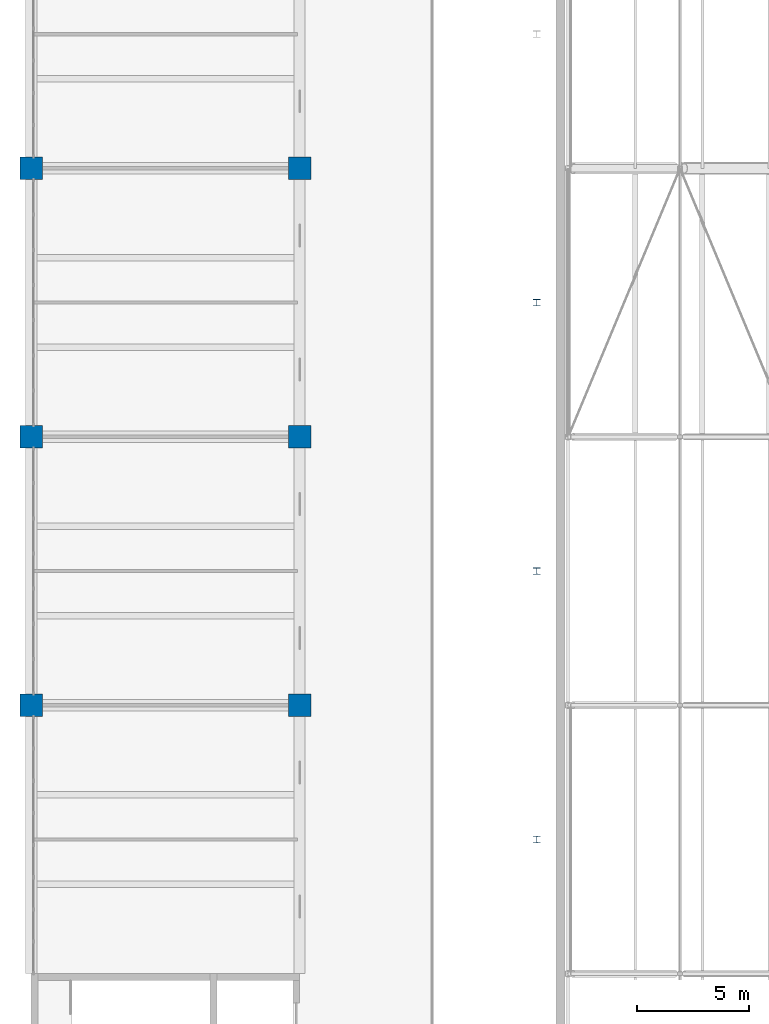
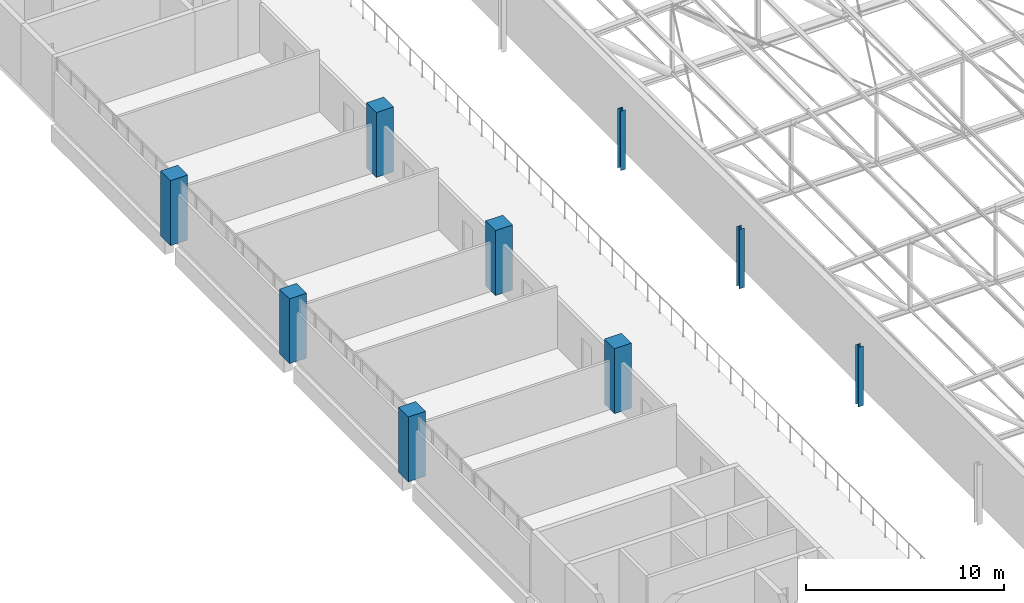
# One storey, part 3 of 156: 9 columns.
"""IFC4 building model written with IfcOpenShell, lengths in metres."""

from ifc_helpers import new_model, si_unit, direction, frame, origin, origin_2d, place, context, subcontext, project, spatial, rectangle, i_section, extrude, material, material_profile, profile_set, type_object, element, save


model = new_model("IFC4")

# Units and contexts
model_context = context("Model", 3, precision=1e-05, world=origin(), true_north=direction((0.0, 1.0)))
body_context = subcontext(model_context, "Body", "Model", "MODEL_VIEW")
ifc_project = project(units=[si_unit("LENGTHUNIT", "METRE"), si_unit("AREAUNIT", "SQUARE_METRE"), si_unit("VOLUMEUNIT", "CUBIC_METRE"), si_unit("PLANEANGLEUNIT", "RADIAN"), si_unit("MASSUNIT", "GRAM", prefix="KILO")], contexts=[model_context])

# Site, building, storey
site_placement = place(None, origin())
site = spatial("IfcSite", under=ifc_project, at=site_placement, CompositionType="ELEMENT")
building_placement = place(site_placement, origin())
building = spatial("IfcBuilding", under=site, at=building_placement, Name="Lilac Gate Convention Centre", CompositionType="ELEMENT")
storey_placement = place(building_placement, frame((0.0, 0.0, 17.0)))
storey = spatial("IfcBuildingStorey", under=building, at=storey_placement, Name="L03", CompositionType="ELEMENT", Elevation=17.0)

# Columns
ifc_material_1 = material(Name="Concrete C40", Category="concrete")
ifc_material_profile_1 = material_profile(ifc_material_1, rectangle(XDim=1.0, YDim=1.0, at=origin_2d()), Name="RC 1000x1000")
ifc_profile_set_1 = profile_set([ifc_material_profile_1], Name="Concrete C40")
column_type_1 = type_object("IfcColumnType", Name="RC column 1000x1000 C40", PredefinedType="COLUMN", material=ifc_profile_set_1)
for number, where, z_axis, x_axis, name in (
    (1, (6.0, 114.0, 0.0), (0.0, 0.0, 1.0), (1.0, 0.0, 0.0), "C1 L03 at 1/H"),
    (2, (6.0, 126.0, 0.0), (0.0, 0.0, 1.0), (1.0, 0.0, 0.0), "C1 L03 at 1/J"),
    (3, (6.0, 138.0, 0.0), (0.0, 0.0, 1.0), (1.0, 0.0, 0.0), "C1 L03 at 1/K"),
    (4, (18.0, 114.0, 0.0), (0.0, 0.0, 1.0), (1.0, 0.0, 0.0), "C1 L03 at 2/H"),
    (5, (18.0, 126.0, 0.0), (0.0, 0.0, 1.0), (1.0, 0.0, 0.0), "C1 L03 at 2/J"),
    (6, (18.0, 138.0, 0.0), (0.0, 0.0, 1.0), (1.0, 0.0, 0.0), "C1 L03 at 2/K"),
):
    element("IfcColumn", number, at=place(storey_placement, frame(where, z_axis=z_axis, x_axis=x_axis)), inside=storey, type_object=column_type_1, Name=name, PredefinedType="COLUMN", context=body_context, shape_type="SweptSolid", body=[
        extrude(rectangle(XDim=1.0, YDim=1.0, at=origin_2d()), origin(), (0.0, 0.0, 1.0), 4.0),
    ])
ifc_material_2 = material(Name="Steel Q355B", Category="steel")
ifc_material_profile_2 = material_profile(ifc_material_2, i_section(OverallWidth=0.300048828125, OverallDepth=0.300048828125, WebThickness=0.010009765625, FlangeThickness=0.014892578125, FilletRadius=0.012939453125, at=origin_2d()), Name="HW300x300x10x15")
ifc_profile_set_2 = profile_set([ifc_material_profile_2], Name="Steel Q355B")
column_type_2 = type_object("IfcColumnType", Name="Steel column HW300x300x10x15", PredefinedType="COLUMN", material=ifc_profile_set_2)
for number, where, z_axis, x_axis, name in (
    (7, (28.60009765625, 108.0, 0.0), (0.0, 0.0, 1.0), (1.0, 0.0, 0.0), "SC1 L03 atrium column at 108"),
    (8, (28.60009765625, 120.0, 0.0), (0.0, 0.0, 1.0), (1.0, 0.0, 0.0), "SC1 L03 atrium column at 120"),
    (9, (28.60009765625, 132.0, 0.0), (0.0, 0.0, 1.0), (1.0, 0.0, 0.0), "SC1 L03 atrium column at 132"),
):
    element("IfcColumn", number, at=place(storey_placement, frame(where, z_axis=z_axis, x_axis=x_axis)), inside=storey, type_object=column_type_2, Name=name, PredefinedType="COLUMN", context=body_context, shape_type="SweptSolid", body=[
        extrude(i_section(OverallWidth=0.300048828125, OverallDepth=0.300048828125, WebThickness=0.010009765625, FlangeThickness=0.014892578125, FilletRadius=0.012939453125, at=origin_2d()), origin(), (0.0, 0.0, 1.0), 3.659912109375),
    ])

save(model, "model.ifc")
